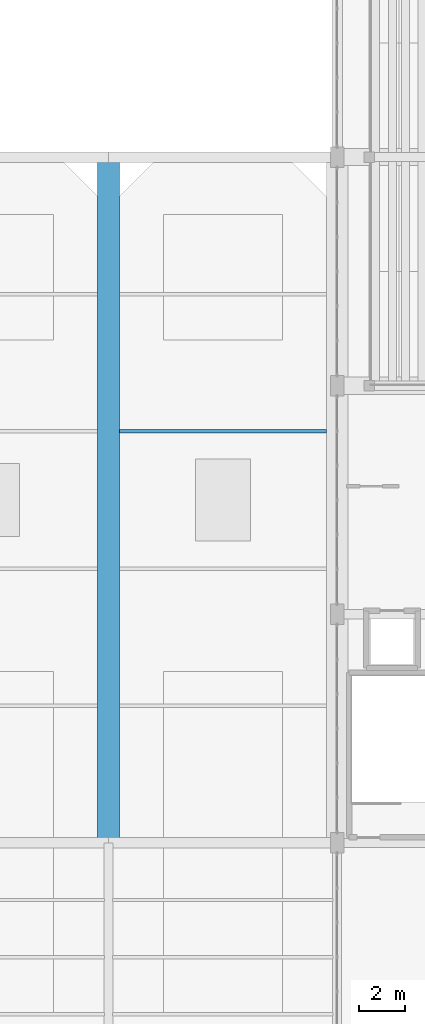
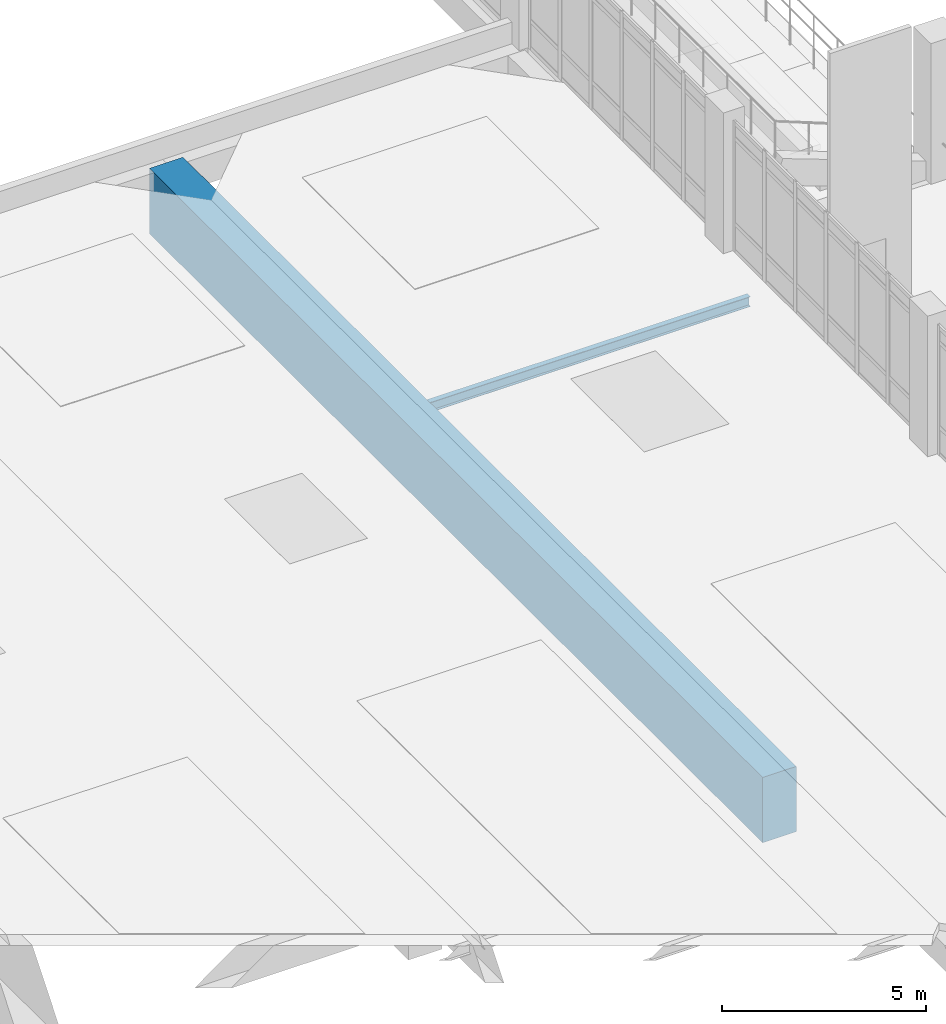
# One storey, part 52 of 161: 2 beams.
"""IFC4 building model written with IfcOpenShell, lengths in metres."""

from ifc_helpers import new_model, si_unit, direction, frame, origin, origin_2d, place, context, subcontext, project, spatial, rectangle, i_section, extrude, material, material_profile, profile_set, type_object, element, save


model = new_model("IFC4")

# Units and contexts
model_context = context("Model", 3, precision=1e-05, world=origin(), true_north=direction((0.0, 1.0)))
body_context = subcontext(model_context, "Body", "Model", "MODEL_VIEW")
ifc_project = project(units=[si_unit("LENGTHUNIT", "METRE"), si_unit("AREAUNIT", "SQUARE_METRE"), si_unit("VOLUMEUNIT", "CUBIC_METRE"), si_unit("PLANEANGLEUNIT", "RADIAN"), si_unit("MASSUNIT", "GRAM", prefix="KILO")], contexts=[model_context])

# Site, building, storey
site_placement = place(None, origin())
site = spatial("IfcSite", under=ifc_project, at=site_placement, CompositionType="ELEMENT")
building_placement = place(site_placement, origin())
building = spatial("IfcBuilding", under=site, at=building_placement, Name="Mersad Railyard Sports Hall", CompositionType="ELEMENT")
storey_placement = place(building_placement, frame((0.0, 0.0, 4.800048828125)))
storey = spatial("IfcBuildingStorey", under=building, at=storey_placement, Name="L01", CompositionType="ELEMENT", Elevation=4.800048828125)

# Beams
ifc_material_1 = material(Name="Steel S355", Category="steel")
ifc_material_profile_1 = material_profile(ifc_material_1, i_section(OverallWidth=0.14990234375, OverallDepth=0.300048828125, WebThickness=0.007080078125, FlangeThickness=0.0107421875, at=origin_2d()), Name="IPE 300")
ifc_profile_set_1 = profile_set([ifc_material_profile_1], Name="Steel S355")
beam_type_1 = type_object("IfcBeamType", Name="STR-BM-J02", PredefinedType="JOIST", material=ifc_profile_set_1)
beam_1_placement = place(storey_placement, frame((121.47509765625, 31.5, -0.380126953125), z_axis=(1.0, 0.0, 0.0), x_axis=(0.0, 1.0, 0.0)))
element("IfcBeam", 1, at=beam_1_placement, inside=storey, type_object=beam_type_1, Name="Beam J02-0619", PredefinedType="JOIST", context=body_context, shape_type="SweptSolid", body=[
    extrude(i_section(OverallWidth=0.14990234375, OverallDepth=0.300048828125, WebThickness=0.007080078125, FlangeThickness=0.0107421875, at=origin_2d()), origin(), (0.0, 0.0, 1.0), 9.0498046875),
])
ifc_material_2 = material(Name="Post-tensioned concrete C50/60", Category="concrete")
ifc_material_profile_2 = material_profile(ifc_material_2, rectangle(XDim=0.949951171875, YDim=1.949951171875, at=origin_2d()), Name="PT 950x1950")
ifc_profile_set_2 = profile_set([ifc_material_profile_2], Name="Post-tensioned concrete C50/60")
beam_type_2 = type_object("IfcBeamType", Name="STR-BM-TG03", PredefinedType="USERDEFINED", material=ifc_profile_set_2)
beam_2_placement = place(storey_placement, frame((121.0, 13.5, -1.195068359375), z_axis=(0.0, 1.0, 0.0), x_axis=(-1.0, 0.0, 0.0)))
element("IfcBeam", 2, at=beam_2_placement, inside=storey, type_object=beam_type_2, Name="Transfer girder TG03-0587", ObjectType="GIRDER", PredefinedType="USERDEFINED", context=body_context, shape_type="SweptSolid", body=[
    extrude(rectangle(XDim=0.949951171875, YDim=1.949951171875, at=origin_2d()), origin(), (0.0, 0.0, 1.0), 30.0),
])

save(model, "model.ifc")
